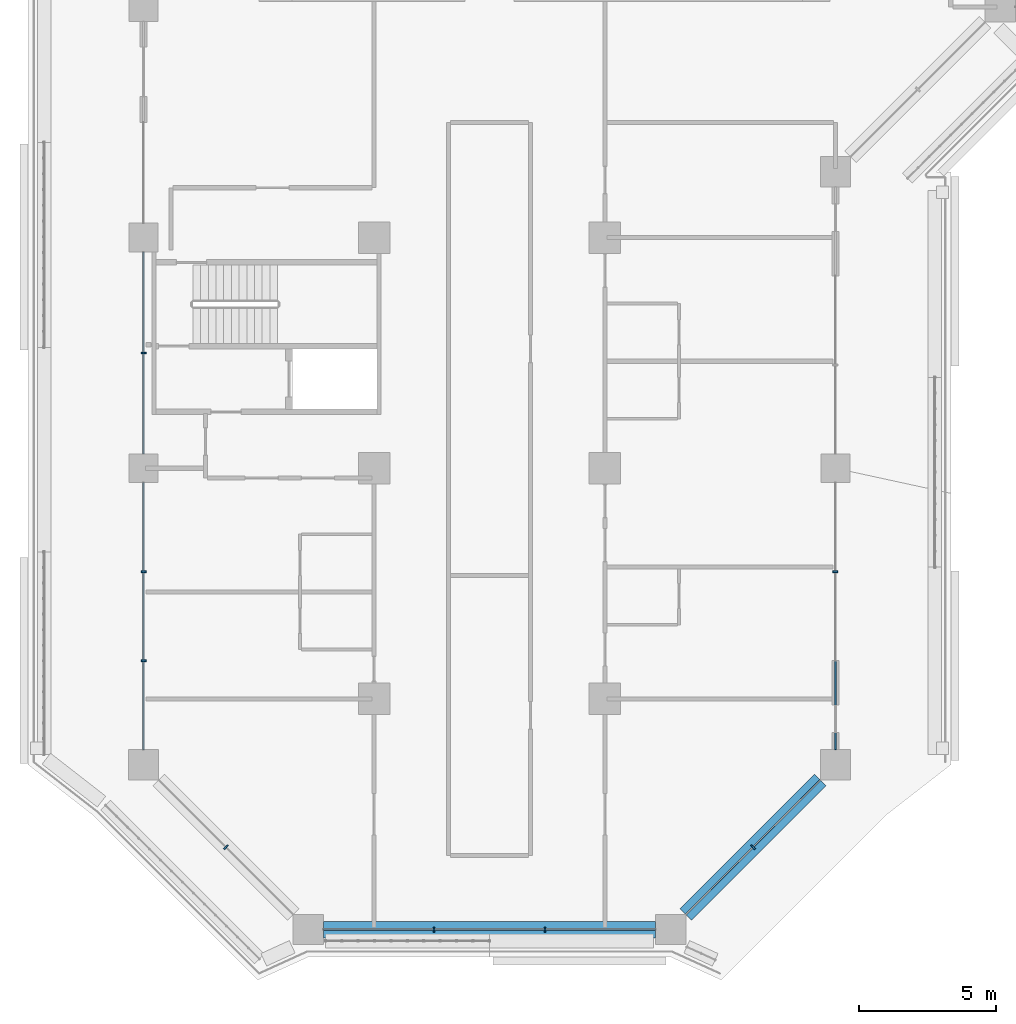
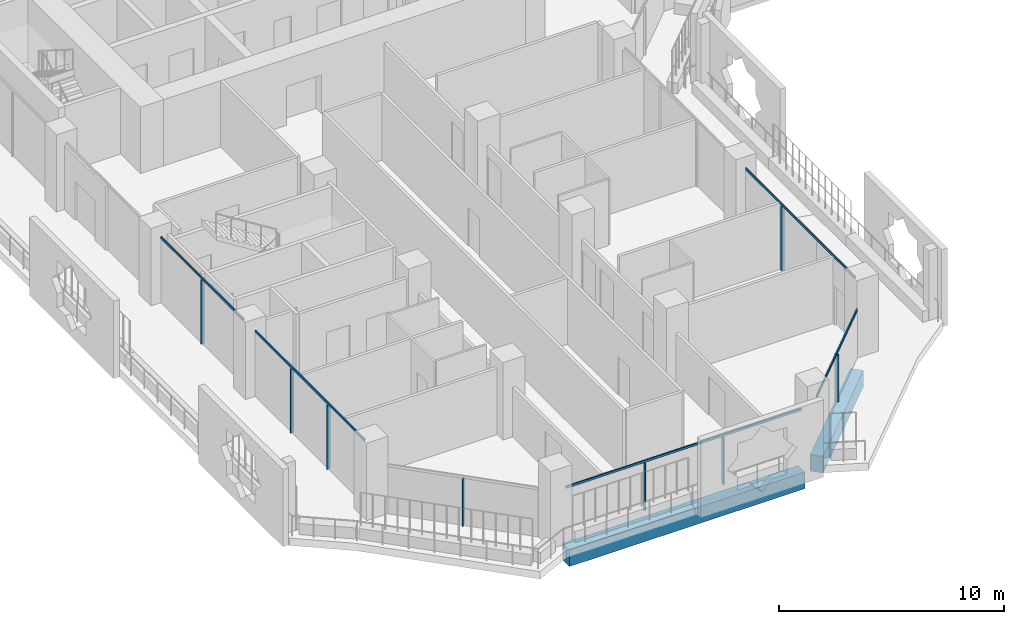
# One storey, part 2 of 25: 13 members, 2 beams, 5 elements without a shape of their own.
"""IFC4 building model written with IfcOpenShell, lengths in metres."""

import ifcopenshell
import ifcopenshell.guid

model = None  # the IFC model being written
_history = None  # IfcOwnerHistory: only IFC2X3 demands one
_inside = {}  # id of a spatial element -> (the spatial element, [elements in it])
_under = {}  # id of a project, library or spatial element -> (it, [spatial elements below it])
_declared = {}  # id of a project -> (the project, [libraries it declares])
_typed = {}  # id of a type object -> (the type object, [elements of that type])
_made_of = {}  # id of a material, layer set ... -> (it, [elements and type objects made of it])


def new_model(schema):
    """Start an empty IFC model of exactly this schema.

    Asked for "IFC4X3", IfcOpenShell would pick the latest addendum, in which some entities
    have other attributes; the version numbers below select the first issue.
    IFC2X3 requires an IfcOwnerHistory on every rooted entity: one is made here for all.
    """
    global model, _history
    if schema == "IFC4X3":
        model = ifcopenshell.file(schema_version=(4, 3, 0, 0))
    else:
        model = ifcopenshell.file(schema=schema)
    _inside.clear()
    _under.clear()
    _declared.clear()
    _typed.clear()
    _made_of.clear()
    _history = None
    if model.schema == "IFC2X3":
        org = make("IfcOrganization", Name="unknown")
        user = make(
            "IfcPersonAndOrganization",
            ThePerson=make("IfcPerson", FamilyName="unknown"),
            TheOrganization=org,
        )
        app = make(
            "IfcApplication",
            ApplicationDeveloper=org,
            Version="unknown",
            ApplicationFullName="unknown",
            ApplicationIdentifier="unknown",
        )
        _history = make(
            "IfcOwnerHistory",
            OwningUser=user,
            OwningApplication=app,
            ChangeAction="ADDED",
            CreationDate=0,
        )
    return model


def make(cls, **values):
    """One entity of the class cls with the attributes given. An attribute that is None is left unset."""
    return model.create_entity(
        cls, **{name: value for name, value in values.items() if value is not None}
    )


def rooted(cls, **values):
    """An entity with a GlobalId (a new one), such as an element, a storey or a relation."""
    return make(cls, GlobalId=ifcopenshell.guid.new(), OwnerHistory=_history, **values)


def si_unit(unit_type, name, prefix=None):
    """IfcSIUnit, for example si_unit("LENGTHUNIT", "METRE", prefix="MILLI")."""
    return make("IfcSIUnit", UnitType=unit_type, Prefix=prefix, Name=name)


def assignment(units):
    """IfcUnitAssignment: the units of a project."""
    return None if units is None else make("IfcUnitAssignment", Units=units)


def point(xyz):
    """IfcCartesianPoint."""
    return None if xyz is None else make("IfcCartesianPoint", Coordinates=xyz)


def direction(xyz):
    """IfcDirection."""
    return None if xyz is None else make("IfcDirection", DirectionRatios=xyz)


def frame(location, z_axis=None, x_axis=None):
    """IfcAxis2Placement3D, a coordinate frame: its origin and axes. An axis left out is left unset."""
    return make(
        "IfcAxis2Placement3D",
        Location=point(location),
        Axis=direction(z_axis),
        RefDirection=direction(x_axis),
    )


def frame_2d(location, x_axis=None):
    """IfcAxis2Placement2D, a coordinate frame in the plane: its origin and x axis."""
    return make(
        "IfcAxis2Placement2D", Location=point(location), RefDirection=direction(x_axis)
    )


def origin():
    """The frame at (0, 0, 0) with its axes left unset."""
    return frame((0.0, 0.0, 0.0))


def origin_2d():
    """The frame at (0, 0) in the plane with its x axis left unset."""
    return frame_2d((0.0, 0.0))


def place(relative_to, where):
    """IfcLocalPlacement: puts the frame where relative to a parent placement (None: the world)."""
    return make(
        "IfcLocalPlacement", PlacementRelTo=relative_to, RelativePlacement=where
    )


def context(
    kind, dimensions, precision=None, world=None, true_north=None, identifier=None
):
    """IfcGeometricRepresentationContext, for example the 3D "Model" context."""
    return make(
        "IfcGeometricRepresentationContext",
        ContextIdentifier=identifier,
        ContextType=kind,
        CoordinateSpaceDimension=dimensions,
        Precision=precision,
        WorldCoordinateSystem=world,
        TrueNorth=true_north,
    )


def subcontext(parent, identifier, kind, view, scale=None):
    """IfcGeometricRepresentationSubContext, for example "Body" below "Model"."""
    return make(
        "IfcGeometricRepresentationSubContext",
        ContextIdentifier=identifier,
        ContextType=kind,
        ParentContext=parent,
        TargetScale=scale,
        TargetView=view,
    )


def project(units=None, contexts=None):
    """IfcProject with its units and contexts."""
    return rooted(
        "IfcProject",
        Name="project",
        RepresentationContexts=contexts,
        UnitsInContext=assignment(units),
    )


def spatial(cls, under=None, at=None, **own):
    """A site, building, storey or space (cls), placed at a placement, below another one or the project."""
    s = rooted(cls, ObjectPlacement=at, **own)
    if under is not None:
        _under.setdefault(under.id(), (under, []))[1].append(s)
    return s


def profile(cls, at=None, kind="AREA", **sizes):
    """A parametric profile (cls). Its sizes go by their IFC names, for example OverallWidth=200.0."""
    return make(cls, ProfileType=kind, Position=at, **sizes)


def rectangle(**sizes):
    """IfcRectangleProfileDef."""
    return profile("IfcRectangleProfileDef", **sizes)


def extrude(swept, where, along, depth):
    """IfcExtrudedAreaSolid: the profile swept, set in the frame where, extruded along a direction by depth."""
    return make(
        "IfcExtrudedAreaSolid",
        SweptArea=swept,
        Position=where,
        ExtrudedDirection=direction(along),
        Depth=depth,
    )


def shape(context_of_items, identifier, shape_type, items):
    """IfcShapeRepresentation: the items that make up one representation, for example the "Body"."""
    return make(
        "IfcShapeRepresentation",
        ContextOfItems=context_of_items,
        RepresentationIdentifier=identifier,
        RepresentationType=shape_type,
        Items=items,
    )


def material(Name=None, Category=None):
    """IfcMaterial."""
    return make("IfcMaterial", Name=Name, Category=Category)


def layer(
    of_material, thickness, ventilated=None, Name=None, Category=None, Priority=None
):
    """IfcMaterialLayer: one layer of a wall or slab, of a material (None: an air gap)."""
    return make(
        "IfcMaterialLayer",
        Material=of_material,
        LayerThickness=thickness,
        IsVentilated=ventilated,
        Name=Name,
        Category=Category,
        Priority=Priority,
    )


def layer_set(layers, Name=None):
    """IfcMaterialLayerSet."""
    return make("IfcMaterialLayerSet", MaterialLayers=layers, LayerSetName=Name)


def material_profile(
    of_material, cross_section, Name=None, Category=None, Priority=None
):
    """IfcMaterialProfile: a cross section and its material."""
    return make(
        "IfcMaterialProfile",
        Name=Name,
        Material=of_material,
        Profile=cross_section,
        Priority=Priority,
        Category=Category,
    )


def profile_set(profiles, Name=None, composite=None):
    """IfcMaterialProfileSet."""
    return make(
        "IfcMaterialProfileSet",
        Name=Name,
        MaterialProfiles=profiles,
        CompositeProfile=composite,
    )


def made_of(thing, what):
    """Note that an element or type object is made of a material, layer set ...; save() writes the relation."""
    if what is not None:
        _made_of.setdefault(what.id(), (what, []))[1].append(thing)
    return thing


def type_object(cls, material=None, **own):
    """A type object (cls), such as IfcWallType, which elements share."""
    return made_of(rooted(cls, **own), material)


def element(
    cls,
    number,
    at=None,
    inside=None,
    cuts=None,
    type_object=None,
    material=None,
    context=None,
    identifier="Body",
    shape_type=None,
    held_by="IfcProductDefinitionShape",
    body=None,
    shapes=None,
    **own,
):
    """One element of the class cls, such as IfcWall. Its Tag is "e" and its number.

    at: its placement. inside: the storey or other place that contains it. cuts: it is an
    opening in that element (IfcRelVoidsElement). A single representation is given by context,
    identifier, shape_type and body (its items); several are given by shapes. held_by: the class
    of the entity that holds the representations. save() writes the other relations.
    """
    e = rooted(cls, Tag="e%d" % number, ObjectPlacement=at, **own)
    if body is not None:
        shapes = [shape(context, identifier, shape_type, body)]
    if shapes is not None:
        e.Representation = make(held_by, Representations=shapes)
    if inside is not None:
        _inside.setdefault(inside.id(), (inside, []))[1].append(e)
    if cuts is not None:
        rooted(
            "IfcRelVoidsElement", RelatingBuildingElement=cuts, RelatedOpeningElement=e
        )
    if type_object is not None:
        _typed.setdefault(type_object.id(), (type_object, []))[1].append(e)
    return made_of(e, material)


def aggregate(whole, parts):
    """IfcRelAggregates: a whole, such as a stair, and the parts it consists of."""
    return rooted("IfcRelAggregates", RelatingObject=whole, RelatedObjects=parts)


def save(model, path):
    """Write the relations noted so far, then the file.

    IfcRelAggregates (storeys below a building ...), IfcRelContainedInSpatialStructure (elements
    in a storey), IfcRelDefinesByType, IfcRelAssociatesMaterial and IfcRelDeclares: one each for
    every whole, place, type object, material and project.
    """
    for whole, parts in _under.values():
        aggregate(whole, parts)
    for where, things in _inside.values():
        rooted(
            "IfcRelContainedInSpatialStructure",
            RelatedElements=things,
            RelatingStructure=where,
        )
    for kind, things in _typed.values():
        rooted("IfcRelDefinesByType", RelatedObjects=things, RelatingType=kind)
    for what, things in _made_of.values():
        rooted("IfcRelAssociatesMaterial", RelatedObjects=things, RelatingMaterial=what)
    for by, libraries in _declared.values():
        rooted("IfcRelDeclares", RelatingContext=by, RelatedDefinitions=libraries)
    model.write(path)


model = new_model("IFC4")

# Units and contexts
model_context = context("Model", 3, precision=1e-05, world=origin(), true_north=direction((0.0, 1.0)))
body_context = subcontext(model_context, "Body", "Model", "MODEL_VIEW")
ifc_project = project(units=[si_unit("LENGTHUNIT", "METRE"), si_unit("AREAUNIT", "SQUARE_METRE"), si_unit("VOLUMEUNIT", "CUBIC_METRE"), si_unit("PLANEANGLEUNIT", "RADIAN"), si_unit("MASSUNIT", "GRAM", prefix="KILO")], contexts=[model_context])

# Site, building, storey
site_placement = place(None, origin())
site = spatial("IfcSite", under=ifc_project, at=site_placement, CompositionType="ELEMENT")
building_placement = place(site_placement, origin())
building = spatial("IfcBuilding", under=site, at=building_placement, Name="Kawkab Arch Medical Tower", CompositionType="ELEMENT")
storey_placement = place(building_placement, frame((0.0, 0.0, 132.39990234375)))
storey = spatial("IfcBuildingStorey", under=building, at=storey_placement, Name="L30", CompositionType="ELEMENT", Elevation=132.39990234375)

# Curtain wall, members
ifc_material_1 = material(Name="Bronze anodised aluminium curtain wall frame", Category="aluminium")
ifc_layer_1 = layer(ifc_material_1, 0.159912109375)
ifc_layer_set_1 = layer_set([ifc_layer_1], Name="Bronze anodised aluminium curtain wall frame")
curtain_wall_type_1 = type_object("IfcCurtainWallType", Name="CW1 ward curtain wall", PredefinedType="NOTDEFINED", material=ifc_layer_set_1)
placement = place(storey_placement, origin())
curtain_wall_1 = element("IfcCurtainWall", 1, at=placement, inside=storey, type_object=curtain_wall_type_1, Name="CW1 Ward curtain wall R01", PredefinedType="NOTDEFINED")
ifc_material_2 = material(Name="Bronze anodised aluminium curtain wall frame", Category="aluminium")
ifc_material_profile_1 = material_profile(ifc_material_2, rectangle(XDim=0.179931640625, YDim=0.06005859375, at=origin_2d()), Name="AL 60x180")
ifc_profile_set_1 = profile_set([ifc_material_profile_1], Name="Bronze anodised aluminium curtain wall frame")
member_type_1 = type_object("IfcMemberType", Name="CW1 mullion 60 x 180", PredefinedType="MULLION", material=ifc_profile_set_1)
member_1_placement = place(storey_placement, frame((0.0, -37.800048828125, 0.0), z_axis=(0.0, 0.0, 1.0), x_axis=(1.0, 0.0, 0.0)))
member_1 = element("IfcMember", 2, at=member_1_placement, type_object=member_type_1, Name="CW1 mullion 5.1", PredefinedType="MULLION", context=body_context, shape_type="SweptSolid", body=[
    extrude(rectangle(XDim=0.179931640625, YDim=0.06005859375, at=origin_2d()), origin(), (0.0, 0.0, 1.0), 3.47998046875),
])
member_2_placement = place(storey_placement, frame((0.0, -45.7666015625, 0.0), z_axis=(0.0, 0.0, 1.0), x_axis=(1.0, 0.0, 0.0)))
member_2 = element("IfcMember", 3, at=member_2_placement, type_object=member_type_1, Name="CW1 mullion 6.1", PredefinedType="MULLION", context=body_context, shape_type="SweptSolid", body=[
    extrude(rectangle(XDim=0.179931640625, YDim=0.06005859375, at=origin_2d()), origin(), (0.0, 0.0, 1.0), 3.47998046875),
])
member_3_placement = place(storey_placement, frame((0.0, -49.00830078125, 0.0), z_axis=(0.0, 0.0, 1.0), x_axis=(1.0, 0.0, 0.0)))
member_3 = element("IfcMember", 4, at=member_3_placement, type_object=member_type_1, Name="CW1 mullion 6.2", PredefinedType="MULLION", context=body_context, shape_type="SweptSolid", body=[
    extrude(rectangle(XDim=0.179931640625, YDim=0.06005859375, at=origin_2d()), origin(), (0.0, 0.0, 1.0), 3.47998046875),
])

curtain_wall_2 = element("IfcCurtainWall", 5, at=placement, inside=storey, type_object=curtain_wall_type_1, Name="CW1 Ward curtain wall R03", PredefinedType="NOTDEFINED")
member_4_placement = place(storey_placement, frame((10.583251953125, -58.800048828125, 0.0), z_axis=(0.0, 0.0, 1.0), x_axis=(0.0, 1.0, 0.0)))
member_4 = element("IfcMember", 6, at=member_4_placement, type_object=member_type_1, Name="CW1 mullion 1.1", PredefinedType="MULLION", context=body_context, shape_type="SweptSolid", body=[
    extrude(rectangle(XDim=0.179931640625, YDim=0.06005859375, at=origin_2d()), origin(), (0.0, 0.0, 1.0), 2.580078125),
])
member_5_placement = place(storey_placement, frame((14.61669921875, -58.800048828125, 0.0), z_axis=(0.0, 0.0, 1.0), x_axis=(0.0, 1.0, 0.0)))
member_5 = element("IfcMember", 7, at=member_5_placement, type_object=member_type_1, Name="CW1 mullion 1.2", PredefinedType="MULLION", context=body_context, shape_type="SweptSolid", body=[
    extrude(rectangle(XDim=0.179931640625, YDim=0.06005859375, at=origin_2d()), origin(), (0.0, 0.0, 1.0), 2.580078125),
])

# Curtain wall, member
curtain_wall_3 = element("IfcCurtainWall", 8, at=placement, inside=storey, type_object=curtain_wall_type_1, Name="CW1 Ward curtain wall R05", PredefinedType="NOTDEFINED")
member_6_placement = place(storey_placement, frame((25.199951171875, -45.7666015625, 0.0), z_axis=(0.0, 0.0, 1.0), x_axis=(-1.0, 0.0, 0.0)))
member_6 = element("IfcMember", 9, at=member_6_placement, type_object=member_type_1, Name="CW1 mullion 1.2", PredefinedType="MULLION", context=body_context, shape_type="SweptSolid", body=[
    extrude(rectangle(XDim=0.179931640625, YDim=0.06005859375, at=origin_2d()), origin(), (0.0, 0.0, 1.0), 3.47998046875),
])

# Member
ifc_material_3 = material(Name="Bronze anodised aluminium curtain wall frame", Category="aluminium")
ifc_material_profile_2 = material_profile(ifc_material_3, rectangle(XDim=0.06005859375, YDim=0.1201171875, at=origin_2d()), Name="AL 60x120")
ifc_profile_set_2 = profile_set([ifc_material_profile_2], Name="Bronze anodised aluminium curtain wall frame")
member_type_2 = type_object("IfcMemberType", Name="CW1 transom 120 x 60", PredefinedType="USERDEFINED", material=ifc_profile_set_2)
member_7_placement = place(storey_placement, frame((0.0, -34.125, 3.5400390625), z_axis=(0.0, -1.0, 0.0), x_axis=(1.0, 0.0, 0.0)))
member_7 = element("IfcMember", 10, at=member_7_placement, type_object=member_type_2, Name="CW1 transom 5", ObjectType="TRANSOM", PredefinedType="USERDEFINED", context=body_context, shape_type="SweptSolid", body=[
    extrude(rectangle(XDim=0.06005859375, YDim=0.1201171875, at=origin_2d()), origin(), (0.0, 0.0, 1.0), 7.35009765625),
])

member_8_placement = place(storey_placement, frame((0.0, -42.52490234375, 3.5400390625), z_axis=(0.0, -1.0, 0.0), x_axis=(1.0, 0.0, 0.0)))
member_8 = element("IfcMember", 11, at=member_8_placement, type_object=member_type_2, Name="CW1 transom 6", ObjectType="TRANSOM", PredefinedType="USERDEFINED", context=body_context, shape_type="SweptSolid", body=[
    extrude(rectangle(XDim=0.06005859375, YDim=0.1201171875, at=origin_2d()), origin(), (0.0, 0.0, 1.0), 9.72509765625),
])

aggregate(curtain_wall_1, [member_7, member_1, member_8, member_2, member_3])

member_9_placement = place(storey_placement, frame((6.550048828125, -58.800048828125, 2.64013671875), z_axis=(1.0, 0.0, 0.0), x_axis=(0.0, 1.0, 0.0)))
member_9 = element("IfcMember", 12, at=member_9_placement, type_object=member_type_2, Name="CW1 transom 1", ObjectType="TRANSOM", PredefinedType="USERDEFINED", context=body_context, shape_type="SweptSolid", body=[
    extrude(rectangle(XDim=0.06005859375, YDim=0.1201171875, at=origin_2d()), origin(), (0.0, 0.0, 1.0), 12.099853515625),
])

aggregate(curtain_wall_2, [member_9, member_4, member_5])

member_10_placement = place(storey_placement, frame((25.199951171875, -52.25, 3.5400390625), z_axis=(0.0, 1.0, 0.0), x_axis=(-1.0, 0.0, 0.0)))
member_10 = element("IfcMember", 13, at=member_10_placement, type_object=member_type_2, Name="CW1 transom 1", ObjectType="TRANSOM", PredefinedType="USERDEFINED", context=body_context, shape_type="SweptSolid", body=[
    extrude(rectangle(XDim=0.06005859375, YDim=0.1201171875, at=origin_2d()), origin(), (0.0, 0.0, 1.0), 9.72509765625),
])

aggregate(curtain_wall_3, [member_10, member_6])

# Curtain wall, member
ifc_material_4 = material(Name="Bronze anodised aluminium curtain wall frame", Category="aluminium")
ifc_layer_2 = layer(ifc_material_4, 0.159912109375)
ifc_layer_set_2 = layer_set([ifc_layer_2], Name="Bronze anodised aluminium curtain wall frame")
curtain_wall_type_2 = type_object("IfcCurtainWallType", Name="CW2 chamfer curtain wall", PredefinedType="NOTDEFINED", material=ifc_layer_set_2)
curtain_wall_4 = element("IfcCurtainWall", 14, at=placement, inside=storey, type_object=curtain_wall_type_2, Name="CW2 Chamfer curtain wall R02", PredefinedType="NOTDEFINED")
ifc_material_5 = material(Name="Bronze anodised aluminium curtain wall frame", Category="aluminium")
ifc_material_profile_3 = material_profile(ifc_material_5, rectangle(XDim=0.199951171875, YDim=0.06005859375, at=origin_2d()), Name="AL 60x200")
ifc_profile_set_3 = profile_set([ifc_material_profile_3], Name="Bronze anodised aluminium curtain wall frame")
member_type_3 = type_object("IfcMemberType", Name="CW2 mullion 60 x 200", PredefinedType="MULLION", material=ifc_profile_set_3)
member_11_placement = place(storey_placement, frame((3.0, -55.800048828125, 0.0), z_axis=(0.0, 0.0, 1.0), x_axis=(0.707106781187, 0.707106781187, 0.0)))
member_11 = element("IfcMember", 15, at=member_11_placement, type_object=member_type_3, Name="CW2 mullion 1.1", PredefinedType="MULLION", context=body_context, shape_type="SweptSolid", body=[
    extrude(rectangle(XDim=0.199951171875, YDim=0.06005859375, at=origin_2d()), origin(), (0.0, 0.0, 1.0), 2.56005859375),
])
aggregate(curtain_wall_4, [member_11])

# Curtain wall, members
curtain_wall_5 = element("IfcCurtainWall", 16, at=placement, inside=storey, type_object=curtain_wall_type_2, Name="CW2 Chamfer curtain wall R04", PredefinedType="NOTDEFINED")
member_12_placement = place(storey_placement, frame((22.199951171875, -55.800048828125, 0.0), z_axis=(0.0, 0.0, 1.0), x_axis=(-0.707106781187, 0.707106781187, 0.0)))
member_12 = element("IfcMember", 17, at=member_12_placement, type_object=member_type_3, Name="CW2 mullion 1.1", PredefinedType="MULLION", context=body_context, shape_type="SweptSolid", body=[
    extrude(rectangle(XDim=0.199951171875, YDim=0.06005859375, at=origin_2d()), origin(), (0.0, 0.0, 1.0), 2.56005859375),
])
ifc_material_6 = material(Name="Bronze anodised aluminium curtain wall frame", Category="aluminium")
ifc_material_profile_4 = material_profile(ifc_material_6, rectangle(XDim=0.06005859375, YDim=0.139892578125, at=origin_2d()), Name="AL 60x140")
ifc_profile_set_4 = profile_set([ifc_material_profile_4], Name="Bronze anodised aluminium curtain wall frame")
member_type_4 = type_object("IfcMemberType", Name="CW2 transom 140 x 60", PredefinedType="USERDEFINED", material=ifc_profile_set_4)
member_13_placement = place(storey_placement, frame((19.75, -58.25, 2.630126953125), z_axis=(0.707106781187, 0.707106781187, 0.0), x_axis=(-0.707106781187, 0.707106781187, 0.0)))
member_13 = element("IfcMember", 18, at=member_13_placement, type_object=member_type_4, Name="CW2 transom 1", ObjectType="TRANSOM", PredefinedType="USERDEFINED", context=body_context, shape_type="SweptSolid", body=[
    extrude(rectangle(XDim=0.06005859375, YDim=0.139892578125, at=origin_2d()), origin(), (0.0, 0.0, 1.0), 6.929443359375),
])
aggregate(curtain_wall_5, [member_13, member_12])

# Beams
ifc_material_7 = material(Name="Concrete C55/67", Category="concrete")
ifc_material_profile_5 = material_profile(ifc_material_7, rectangle(XDim=0.60009765625, YDim=0.89990234375, at=origin_2d()), Name="RC 600x900")
ifc_profile_set_5 = profile_set([ifc_material_profile_5], Name="Concrete C55/67")
beam_type = type_object("IfcBeamType", Name="RC 600x900 beam C55/67", PredefinedType="BEAM", material=ifc_profile_set_5)
beam_1_placement = place(storey_placement, frame((24.64990234375, -53.35009765625, -1.0498046875), z_axis=(-0.707106781187, -0.707106781187, 0.0), x_axis=(0.707106781187, -0.707106781187, 0.0)))
element("IfcBeam", 19, at=beam_1_placement, inside=storey, type_object=beam_type, Name="Overhang edge beam L30-07", PredefinedType="BEAM", context=body_context, shape_type="SweptSolid", body=[
    extrude(rectangle(XDim=0.60009765625, YDim=0.89990234375, at=origin_2d()), origin(), (0.0, 0.0, 1.0), 6.929443359375),
])
beam_2_placement = place(storey_placement, frame((18.64990234375, -58.800048828125, -1.0498046875), z_axis=(-1.0, 0.0, 0.0), x_axis=(0.0, -1.0, 0.0)))
element("IfcBeam", 20, at=beam_2_placement, inside=storey, type_object=beam_type, Name="Overhang edge beam L30-08", PredefinedType="BEAM", context=body_context, shape_type="SweptSolid", body=[
    extrude(rectangle(XDim=0.60009765625, YDim=0.89990234375, at=origin_2d()), origin(), (0.0, 0.0, 1.0), 12.099853515625),
])

save(model, "model.ifc")
